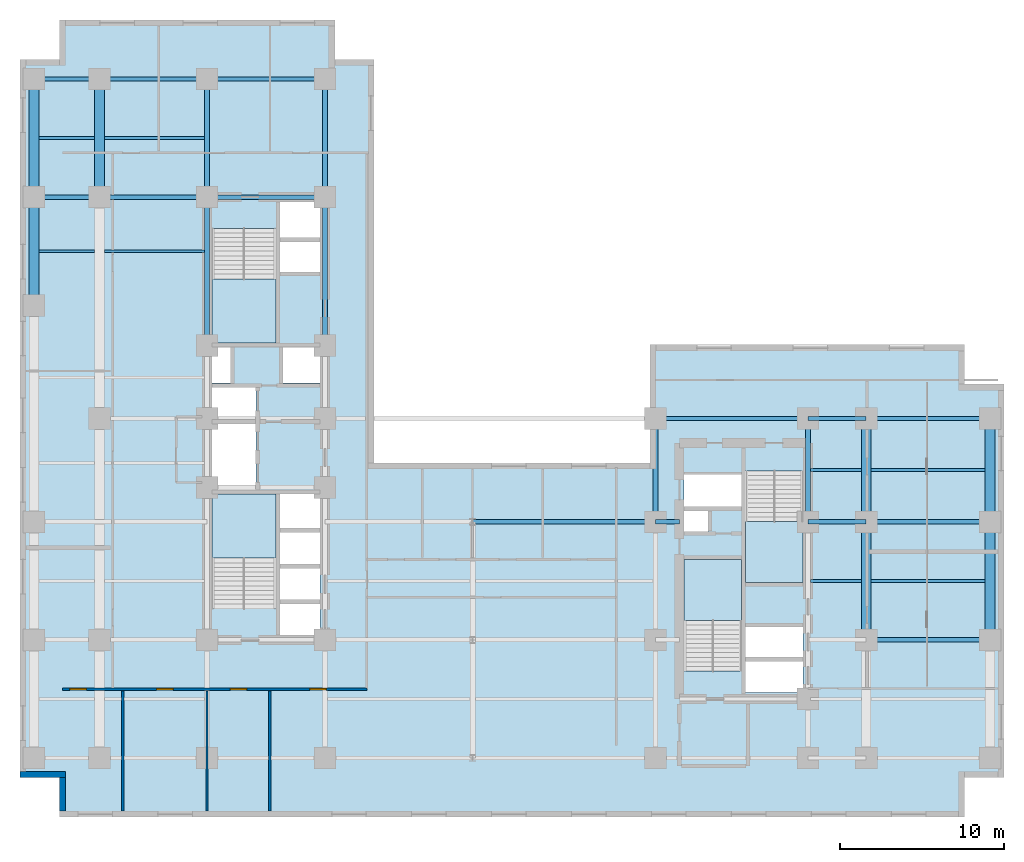
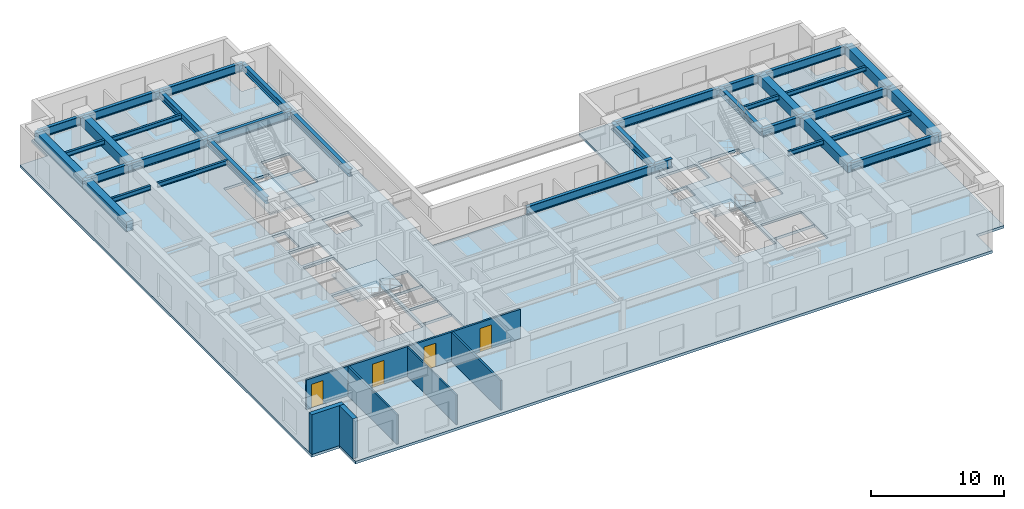
# One storey, part 2 of 9: 35 beams, 6 walls, 5 slabs, 4 doors, 4 openings, 4 elements without a shape of their own.
"""IFC4 building model written with IfcOpenShell, lengths in metres."""

from ifc_helpers import new_model, entity, si_unit, converted_unit, direction, frame, origin_with_axes, origin_2d_with_axis, place, context, subcontext, project, spatial, polyline, rectangle, i_section, outline, extrude, material, layer, layer_set, material_profile, profile_set, type_object, element, fill, aggregate, save


model = new_model("IFC4")

# Units and contexts
model_context = context("Model", 3, precision=1e-05, world=origin_with_axes(), true_north=direction((0.0, 1.0)))
body_context = subcontext(model_context, "Body", "Model", "MODEL_VIEW")
ifc_project = project(units=[si_unit("LENGTHUNIT", "METRE"), si_unit("AREAUNIT", "SQUARE_METRE"), si_unit("VOLUMEUNIT", "CUBIC_METRE"), converted_unit("PLANEANGLEUNIT", "DEGREE", entity("IfcPlaneAngleMeasure", 0.017453292519943295), si_unit("PLANEANGLEUNIT", "RADIAN"), dimensions=[0, 0, 0, 0, 0, 0, 0]), si_unit("MASSUNIT", "GRAM", prefix="KILO"), si_unit("THERMODYNAMICTEMPERATUREUNIT", "KELVIN")], contexts=[model_context])

# Site, building, storey
site_placement = place(None, origin_with_axes())
site = spatial("IfcSite", under=ifc_project, at=site_placement, CompositionType="ELEMENT")
building_placement = place(site_placement, origin_with_axes())
building = spatial("IfcBuilding", under=site, at=building_placement, Name="Varnlund Millrace Tower", CompositionType="ELEMENT")
storey_placement = place(building_placement, frame((0.0, 0.0, 71.7), z_axis=(0.0, 0.0, 1.0), x_axis=(1.0, 0.0, 0.0)))
storey = spatial("IfcBuildingStorey", under=building, at=storey_placement, Name="L17", CompositionType="ELEMENT", Elevation=71.7)

# Beams
ifc_material_1 = material(Name="Steel ASTM A992 Grade 50", Category="steel")
ifc_material_profile_1 = material_profile(ifc_material_1, i_section(OverallWidth=0.328, OverallDepth=0.628, WebThickness=0.0165, FlangeThickness=0.0277, FilletRadius=0.018, at=origin_2d_with_axis()), Name="Steel ASTM A992 Grade 50")
ifc_profile_set_1 = profile_set([ifc_material_profile_1], Name="Steel ASTM A992 Grade 50")
beam_type_1 = type_object("IfcBeamType", Name="Type-Girder-W24X146", PredefinedType="USERDEFINED", material=ifc_profile_set_1)
beam_1_placement = place(storey_placement, frame((11.4, 28.75, 3.346), z_axis=(0.0, 1.0, 0.0), x_axis=(-1.0, 0.0, 0.0)))
element("IfcBeam", 1, at=beam_1_placement, inside=storey, type_object=beam_type_1, Name="Type-Girder-W24X146", ObjectType="GIRDER", PredefinedType="USERDEFINED", context=body_context, shape_type="SweptSolid", body=[
    extrude(i_section(OverallWidth=0.328, OverallDepth=0.628, WebThickness=0.0165, FlangeThickness=0.0277, FilletRadius=0.018, at=origin_2d_with_axis()), origin_with_axes(), (0.0, 0.0, 1.0), 9.05),
])
beam_2_placement = place(storey_placement, frame((11.4, 37.8, 3.346), z_axis=(0.0, 1.0, 0.0), x_axis=(-1.0, 0.0, 0.0)))
element("IfcBeam", 2, at=beam_2_placement, inside=storey, type_object=beam_type_1, Name="Type-Girder-W24X146", ObjectType="GIRDER", PredefinedType="USERDEFINED", context=body_context, shape_type="SweptSolid", body=[
    extrude(i_section(OverallWidth=0.328, OverallDepth=0.628, WebThickness=0.0165, FlangeThickness=0.0277, FilletRadius=0.018, at=origin_2d_with_axis()), origin_with_axes(), (0.0, 0.0, 1.0), 7.2),
])
beam_3_placement = place(storey_placement, frame((18.6, 28.75, 3.346), z_axis=(0.0, 1.0, 0.0), x_axis=(-1.0, 0.0, 0.0)))
element("IfcBeam", 3, at=beam_3_placement, inside=storey, type_object=beam_type_1, Name="Type-Girder-W24X146", ObjectType="GIRDER", PredefinedType="USERDEFINED", context=body_context, shape_type="SweptSolid", body=[
    extrude(i_section(OverallWidth=0.328, OverallDepth=0.628, WebThickness=0.0165, FlangeThickness=0.0277, FilletRadius=0.018, at=origin_2d_with_axis()), origin_with_axes(), (0.0, 0.0, 1.0), 9.05),
])
beam_4_placement = place(storey_placement, frame((18.6, 37.8, 3.346), z_axis=(0.0, 1.0, 0.0), x_axis=(-1.0, 0.0, 0.0)))
element("IfcBeam", 4, at=beam_4_placement, inside=storey, type_object=beam_type_1, Name="Type-Girder-W24X146", ObjectType="GIRDER", PredefinedType="USERDEFINED", context=body_context, shape_type="SweptSolid", body=[
    extrude(i_section(OverallWidth=0.328, OverallDepth=0.628, WebThickness=0.0165, FlangeThickness=0.0277, FilletRadius=0.018, at=origin_2d_with_axis()), origin_with_axes(), (0.0, 0.0, 1.0), 7.2),
])
for number, where, z_axis, x_axis, name in (
    (5, (38.75, 18.0, 3.346), (0.0, 1.0, 0.0), (-1.0, 0.0, 0.0), "Type-Girder-W24X146"),
    (6, (48.05, 18.0, 3.346), (0.0, 1.0, 0.0), (-1.0, 0.0, 0.0), "Type-Girder-W24X146"),
):
    element("IfcBeam", number, at=place(storey_placement, frame(where, z_axis=z_axis, x_axis=x_axis)), inside=storey, type_object=beam_type_1, Name=name, ObjectType="GIRDER", PredefinedType="USERDEFINED", context=body_context, shape_type="SweptSolid", body=[
        extrude(i_section(OverallWidth=0.328, OverallDepth=0.628, WebThickness=0.0165, FlangeThickness=0.0277, FilletRadius=0.018, at=origin_2d_with_axis()), origin_with_axes(), (0.0, 0.0, 1.0), 6.3),
    ])
ifc_material_profile_2 = material_profile(ifc_material_1, i_section(OverallWidth=0.266, OverallDepth=0.779, WebThickness=0.0165, FlangeThickness=0.03, FilletRadius=0.02, at=origin_2d_with_axis()), Name="Steel ASTM A992 Grade 50")
ifc_profile_set_2 = profile_set([ifc_material_profile_2], Name="Steel ASTM A992 Grade 50")
beam_type_2 = type_object("IfcBeamType", Name="Type-Girder-W30X148", PredefinedType="USERDEFINED", material=ifc_profile_set_2)
beam_5_placement = place(storey_placement, frame((51.6, 10.8, 3.2705), z_axis=(1.0, 0.0, 0.0), x_axis=(0.0, 1.0, 0.0)))
element("IfcBeam", 7, at=beam_5_placement, inside=storey, type_object=beam_type_2, Name="Type-Girder-W30X148", ObjectType="GIRDER", PredefinedType="USERDEFINED", context=body_context, shape_type="SweptSolid", body=[
    extrude(i_section(OverallWidth=0.266, OverallDepth=0.779, WebThickness=0.0165, FlangeThickness=0.03, FilletRadius=0.02, at=origin_2d_with_axis()), origin_with_axes(), (0.0, 0.0, 1.0), 7.55),
])
beam_6_placement = place(storey_placement, frame((27.6, 18.0, 3.2705), z_axis=(1.0, 0.0, 0.0), x_axis=(0.0, 1.0, 0.0)))
element("IfcBeam", 8, at=beam_6_placement, inside=storey, type_object=beam_type_2, Name="Type-Girder-W30X148", ObjectType="GIRDER", PredefinedType="USERDEFINED", context=body_context, shape_type="SweptSolid", body=[
    extrude(i_section(OverallWidth=0.266, OverallDepth=0.779, WebThickness=0.0165, FlangeThickness=0.03, FilletRadius=0.02, at=origin_2d_with_axis()), origin_with_axes(), (0.0, 0.0, 1.0), 11.15),
])
beam_7_placement = place(storey_placement, frame((38.75, 18.0, 3.2705), z_axis=(1.0, 0.0, 0.0), x_axis=(0.0, 1.0, 0.0)))
element("IfcBeam", 9, at=beam_7_placement, inside=storey, type_object=beam_type_2, Name="Type-Girder-W30X148", ObjectType="GIRDER", PredefinedType="USERDEFINED", context=body_context, shape_type="SweptSolid", body=[
    extrude(i_section(OverallWidth=0.266, OverallDepth=0.779, WebThickness=0.0165, FlangeThickness=0.03, FilletRadius=0.02, at=origin_2d_with_axis()), origin_with_axes(), (0.0, 0.0, 1.0), 1.45),
])
beam_8_placement = place(storey_placement, frame((48.05, 18.0, 3.2705), z_axis=(1.0, 0.0, 0.0), x_axis=(0.0, 1.0, 0.0)))
element("IfcBeam", 10, at=beam_8_placement, inside=storey, type_object=beam_type_2, Name="Type-Girder-W30X148", ObjectType="GIRDER", PredefinedType="USERDEFINED", context=body_context, shape_type="SweptSolid", body=[
    extrude(i_section(OverallWidth=0.266, OverallDepth=0.779, WebThickness=0.0165, FlangeThickness=0.03, FilletRadius=0.02, at=origin_2d_with_axis()), origin_with_axes(), (0.0, 0.0, 1.0), 3.55),
])
beam_9_placement = place(storey_placement, frame((51.6, 18.0, 3.2705), z_axis=(1.0, 0.0, 0.0), x_axis=(0.0, 1.0, 0.0)))
element("IfcBeam", 11, at=beam_9_placement, inside=storey, type_object=beam_type_2, Name="Type-Girder-W30X148", ObjectType="GIRDER", PredefinedType="USERDEFINED", context=body_context, shape_type="SweptSolid", body=[
    extrude(i_section(OverallWidth=0.266, OverallDepth=0.779, WebThickness=0.0165, FlangeThickness=0.03, FilletRadius=0.02, at=origin_2d_with_axis()), origin_with_axes(), (0.0, 0.0, 1.0), 7.55),
])
beam_10_placement = place(storey_placement, frame((38.75, 24.3, 3.2705), z_axis=(1.0, 0.0, 0.0), x_axis=(0.0, 1.0, 0.0)))
element("IfcBeam", 12, at=beam_10_placement, inside=storey, type_object=beam_type_2, Name="Type-Girder-W30X148", ObjectType="GIRDER", PredefinedType="USERDEFINED", context=body_context, shape_type="SweptSolid", body=[
    extrude(i_section(OverallWidth=0.266, OverallDepth=0.779, WebThickness=0.0165, FlangeThickness=0.03, FilletRadius=0.02, at=origin_2d_with_axis()), origin_with_axes(), (0.0, 0.0, 1.0), 9.3),
])
beam_11_placement = place(storey_placement, frame((48.05, 24.3, 3.2705), z_axis=(1.0, 0.0, 0.0), x_axis=(0.0, 1.0, 0.0)))
element("IfcBeam", 13, at=beam_11_placement, inside=storey, type_object=beam_type_2, Name="Type-Girder-W30X148", ObjectType="GIRDER", PredefinedType="USERDEFINED", context=body_context, shape_type="SweptSolid", body=[
    extrude(i_section(OverallWidth=0.266, OverallDepth=0.779, WebThickness=0.0165, FlangeThickness=0.03, FilletRadius=0.02, at=origin_2d_with_axis()), origin_with_axes(), (0.0, 0.0, 1.0), 3.55),
])
beam_12_placement = place(storey_placement, frame((51.6, 24.3, 3.2705), z_axis=(1.0, 0.0, 0.0), x_axis=(0.0, 1.0, 0.0)))
element("IfcBeam", 14, at=beam_12_placement, inside=storey, type_object=beam_type_2, Name="Type-Girder-W30X148", ObjectType="GIRDER", PredefinedType="USERDEFINED", context=body_context, shape_type="SweptSolid", body=[
    extrude(i_section(OverallWidth=0.266, OverallDepth=0.779, WebThickness=0.0165, FlangeThickness=0.03, FilletRadius=0.02, at=origin_2d_with_axis()), origin_with_axes(), (0.0, 0.0, 1.0), 7.55),
])
beam_13_placement = place(storey_placement, frame((0.85, 37.8, 3.2705), z_axis=(1.0, 0.0, 0.0), x_axis=(0.0, 1.0, 0.0)))
element("IfcBeam", 15, at=beam_13_placement, inside=storey, type_object=beam_type_2, Name="Type-Girder-W30X148", ObjectType="GIRDER", PredefinedType="USERDEFINED", context=body_context, shape_type="SweptSolid", body=[
    extrude(i_section(OverallWidth=0.266, OverallDepth=0.779, WebThickness=0.0165, FlangeThickness=0.03, FilletRadius=0.02, at=origin_2d_with_axis()), origin_with_axes(), (0.0, 0.0, 1.0), 4.0),
])
beam_14_placement = place(storey_placement, frame((4.85, 37.8, 3.2705), z_axis=(1.0, 0.0, 0.0), x_axis=(0.0, 1.0, 0.0)))
element("IfcBeam", 16, at=beam_14_placement, inside=storey, type_object=beam_type_2, Name="Type-Girder-W30X148", ObjectType="GIRDER", PredefinedType="USERDEFINED", context=body_context, shape_type="SweptSolid", body=[
    extrude(i_section(OverallWidth=0.266, OverallDepth=0.779, WebThickness=0.0165, FlangeThickness=0.03, FilletRadius=0.02, at=origin_2d_with_axis()), origin_with_axes(), (0.0, 0.0, 1.0), 6.55),
])
beam_15_placement = place(storey_placement, frame((11.4, 37.8, 3.2705), z_axis=(1.0, 0.0, 0.0), x_axis=(0.0, 1.0, 0.0)))
element("IfcBeam", 17, at=beam_15_placement, inside=storey, type_object=beam_type_2, Name="Type-Girder-W30X148", ObjectType="GIRDER", PredefinedType="USERDEFINED", context=body_context, shape_type="SweptSolid", body=[
    extrude(i_section(OverallWidth=0.266, OverallDepth=0.779, WebThickness=0.0165, FlangeThickness=0.03, FilletRadius=0.02, at=origin_2d_with_axis()), origin_with_axes(), (0.0, 0.0, 1.0), 7.2),
])
beam_16_placement = place(storey_placement, frame((0.85, 45.0, 3.2705), z_axis=(1.0, 0.0, 0.0), x_axis=(0.0, 1.0, 0.0)))
element("IfcBeam", 18, at=beam_16_placement, inside=storey, type_object=beam_type_2, Name="Type-Girder-W30X148", ObjectType="GIRDER", PredefinedType="USERDEFINED", context=body_context, shape_type="SweptSolid", body=[
    extrude(i_section(OverallWidth=0.266, OverallDepth=0.779, WebThickness=0.0165, FlangeThickness=0.03, FilletRadius=0.02, at=origin_2d_with_axis()), origin_with_axes(), (0.0, 0.0, 1.0), 4.0),
])
beam_17_placement = place(storey_placement, frame((4.85, 45.0, 3.2705), z_axis=(1.0, 0.0, 0.0), x_axis=(0.0, 1.0, 0.0)))
element("IfcBeam", 19, at=beam_17_placement, inside=storey, type_object=beam_type_2, Name="Type-Girder-W30X148", ObjectType="GIRDER", PredefinedType="USERDEFINED", context=body_context, shape_type="SweptSolid", body=[
    extrude(i_section(OverallWidth=0.266, OverallDepth=0.779, WebThickness=0.0165, FlangeThickness=0.03, FilletRadius=0.02, at=origin_2d_with_axis()), origin_with_axes(), (0.0, 0.0, 1.0), 6.55),
])
beam_18_placement = place(storey_placement, frame((11.4, 45.0, 3.2705), z_axis=(1.0, 0.0, 0.0), x_axis=(0.0, 1.0, 0.0)))
element("IfcBeam", 20, at=beam_18_placement, inside=storey, type_object=beam_type_2, Name="Type-Girder-W30X148", ObjectType="GIRDER", PredefinedType="USERDEFINED", context=body_context, shape_type="SweptSolid", body=[
    extrude(i_section(OverallWidth=0.266, OverallDepth=0.779, WebThickness=0.0165, FlangeThickness=0.03, FilletRadius=0.02, at=origin_2d_with_axis()), origin_with_axes(), (0.0, 0.0, 1.0), 7.2),
])
ifc_material_profile_3 = material_profile(ifc_material_1, i_section(OverallWidth=0.181, OverallDepth=0.417, WebThickness=0.0109, FlangeThickness=0.0182, FilletRadius=0.013, at=origin_2d_with_axis()), Name="Steel ASTM A992 Grade 50")
ifc_profile_set_3 = profile_set([ifc_material_profile_3], Name="Steel ASTM A992 Grade 50")
beam_type_3 = type_object("IfcBeamType", Name="Type-Joist-W16X57", PredefinedType="JOIST", material=ifc_profile_set_3)
for number, where, z_axis, x_axis, name in (
    (21, (1.15, 34.5, 3.4515), (1.0, 0.0, 0.0), (0.0, 1.0, 0.0), "Type-Joist-W16X57"),
    (22, (1.15, 41.4, 3.4515), (1.0, 0.0, 0.0), (0.0, 1.0, 0.0), "Type-Joist-W16X57"),
):
    element("IfcBeam", number, at=place(storey_placement, frame(where, z_axis=z_axis, x_axis=x_axis)), inside=storey, type_object=beam_type_3, Name=name, PredefinedType="JOIST", context=body_context, shape_type="SweptSolid", body=[
        extrude(i_section(OverallWidth=0.181, OverallDepth=0.417, WebThickness=0.0109, FlangeThickness=0.0182, FilletRadius=0.013, at=origin_2d_with_axis()), origin_with_axes(), (0.0, 0.0, 1.0), 3.4),
    ])
for number, where, z_axis, x_axis, name in (
    (23, (5.15, 34.5, 3.4515), (1.0, 0.0, 0.0), (0.0, 1.0, 0.0), "Type-Joist-W16X57"),
    (24, (5.15, 41.4, 3.4515), (1.0, 0.0, 0.0), (0.0, 1.0, 0.0), "Type-Joist-W16X57"),
):
    element("IfcBeam", number, at=place(storey_placement, frame(where, z_axis=z_axis, x_axis=x_axis)), inside=storey, type_object=beam_type_3, Name=name, PredefinedType="JOIST", context=body_context, shape_type="SweptSolid", body=[
        extrude(i_section(OverallWidth=0.181, OverallDepth=0.417, WebThickness=0.0109, FlangeThickness=0.0182, FilletRadius=0.013, at=origin_2d_with_axis()), origin_with_axes(), (0.0, 0.0, 1.0), 6.086),
    ])
for number, where, z_axis, x_axis, name in (
    (25, (48.214, 14.4, 3.4515), (1.0, 0.0, 0.0), (0.0, 1.0, 0.0), "Type-Joist-W16X57"),
    (26, (48.214, 21.15, 3.4515), (1.0, 0.0, 0.0), (0.0, 1.0, 0.0), "Type-Joist-W16X57"),
):
    element("IfcBeam", number, at=place(storey_placement, frame(where, z_axis=z_axis, x_axis=x_axis)), inside=storey, type_object=beam_type_3, Name=name, PredefinedType="JOIST", context=body_context, shape_type="SweptSolid", body=[
        extrude(i_section(OverallWidth=0.181, OverallDepth=0.417, WebThickness=0.0109, FlangeThickness=0.0182, FilletRadius=0.013, at=origin_2d_with_axis()), origin_with_axes(), (0.0, 0.0, 1.0), 3.086),
    ])
for number, where, z_axis, x_axis, name in (
    (27, (51.9, 14.4, 3.4515), (1.0, 0.0, 0.0), (0.0, 1.0, 0.0), "Type-Joist-W16X57"),
    (28, (51.9, 21.15, 3.4515), (1.0, 0.0, 0.0), (0.0, 1.0, 0.0), "Type-Joist-W16X57"),
):
    element("IfcBeam", number, at=place(storey_placement, frame(where, z_axis=z_axis, x_axis=x_axis)), inside=storey, type_object=beam_type_3, Name=name, PredefinedType="JOIST", context=body_context, shape_type="SweptSolid", body=[
        extrude(i_section(OverallWidth=0.181, OverallDepth=0.417, WebThickness=0.0109, FlangeThickness=0.0182, FilletRadius=0.013, at=origin_2d_with_axis()), origin_with_axes(), (0.0, 0.0, 1.0), 6.95),
    ])
ifc_material_2 = material(Name="Concrete C70/85", Category="concrete")
ifc_material_profile_4 = material_profile(ifc_material_2, rectangle(XDim=0.6, YDim=0.9, at=origin_2d_with_axis()), Name="Concrete C70/85")
ifc_profile_set_4 = profile_set([ifc_material_profile_4], Name="Concrete C70/85")
beam_type_4 = type_object("IfcBeamType", Name="Type-Spandrel-RC600X900", PredefinedType="SPANDREL", material=ifc_profile_set_4)
beam_19_placement = place(storey_placement, frame((0.85, 31.2, 3.21), z_axis=(0.0, 1.0, 0.0), x_axis=(-1.0, 0.0, 0.0)))
element("IfcBeam", 29, at=beam_19_placement, inside=storey, type_object=beam_type_4, Name="Type-Spandrel-RC600X900", PredefinedType="SPANDREL", context=body_context, shape_type="SweptSolid", body=[
    extrude(rectangle(XDim=0.6, YDim=0.9, at=origin_2d_with_axis()), origin_with_axes(), (0.0, 0.0, 1.0), 6.6),
])
for number, where, z_axis, x_axis, name in (
    (30, (0.85, 37.8, 3.21), (0.0, 1.0, 0.0), (-1.0, 0.0, 0.0), "Type-Spandrel-RC600X900"),
    (31, (4.85, 37.8, 3.21), (0.0, 1.0, 0.0), (-1.0, 0.0, 0.0), "Type-Spandrel-RC600X900"),
    (32, (51.6, 10.8, 3.21), (0.0, 1.0, 0.0), (-1.0, 0.0, 0.0), "Type-Spandrel-RC600X900"),
):
    element("IfcBeam", number, at=place(storey_placement, frame(where, z_axis=z_axis, x_axis=x_axis)), inside=storey, type_object=beam_type_4, Name=name, PredefinedType="SPANDREL", context=body_context, shape_type="SweptSolid", body=[
        extrude(rectangle(XDim=0.6, YDim=0.9, at=origin_2d_with_axis()), origin_with_axes(), (0.0, 0.0, 1.0), 7.2),
    ])
beam_20_placement = place(storey_placement, frame((51.6, 18.0, 3.21), z_axis=(0.0, 1.0, 0.0), x_axis=(-1.0, 0.0, 0.0)))
element("IfcBeam", 33, at=beam_20_placement, inside=storey, type_object=beam_type_4, Name="Type-Spandrel-RC600X900", PredefinedType="SPANDREL", context=body_context, shape_type="SweptSolid", body=[
    extrude(rectangle(XDim=0.6, YDim=0.9, at=origin_2d_with_axis()), origin_with_axes(), (0.0, 0.0, 1.0), 6.3),
])
beam_21_placement = place(storey_placement, frame((59.15, 10.8, 3.21), z_axis=(0.0, 1.0, 0.0), x_axis=(-1.0, 0.0, 0.0)))
element("IfcBeam", 34, at=beam_21_placement, inside=storey, type_object=beam_type_4, Name="Type-Spandrel-RC600X900", PredefinedType="SPANDREL", context=body_context, shape_type="SweptSolid", body=[
    extrude(rectangle(XDim=0.6, YDim=0.9, at=origin_2d_with_axis()), origin_with_axes(), (0.0, 0.0, 1.0), 7.2),
])
beam_22_placement = place(storey_placement, frame((59.15, 18.0, 3.21), z_axis=(0.0, 1.0, 0.0), x_axis=(-1.0, 0.0, 0.0)))
element("IfcBeam", 35, at=beam_22_placement, inside=storey, type_object=beam_type_4, Name="Type-Spandrel-RC600X900", PredefinedType="SPANDREL", context=body_context, shape_type="SweptSolid", body=[
    extrude(rectangle(XDim=0.6, YDim=0.9, at=origin_2d_with_axis()), origin_with_axes(), (0.0, 0.0, 1.0), 6.3),
])

# Slab
ifc_material_3 = material(Name="Concrete C60/75", Category="concrete")
ifc_layer_1 = layer(ifc_material_3, 0.24, Name="Concrete C60/75")
ifc_layer_set_1 = layer_set([ifc_layer_1], Name="Concrete C60/75")
slab_type_1 = type_object("IfcSlabType", Name="Type-Deck-Plate-Typical-240", PredefinedType="FLOOR", material=ifc_layer_set_1)
slab_1_placement = place(storey_placement, frame((0.0, 0.0, -0.24), z_axis=(0.0, 0.0, 1.0), x_axis=(1.0, 0.0, 0.0)))
element("IfcSlab", 36, at=slab_1_placement, inside=storey, type_object=slab_type_1, Name="Type-Deck-Plate-Typical-240", PredefinedType="FLOOR", context=body_context, shape_type="SweptSolid", body=[
    extrude(outline(polyline([(21.6, 21.6), (21.6, 46.2), (19.2, 46.2), (19.2, 48.6), (2.4, 48.6), (2.4, 46.2), (0.0, 46.2), (0.0, 2.4), (2.4, 2.4), (2.4, 0.0), (57.6, 0.0), (57.6, 2.4), (60.0, 2.4), (60.0, 26.4), (57.6, 26.4), (57.6, 28.8), (38.4, 28.8), (38.4, 21.6), (21.6, 21.6)]), holes=[polyline([(18.3, 11.1), (15.84, 11.1), (15.84, 13.1), (18.3, 13.1), (18.3, 11.1)]), polyline([(18.3, 13.16), (15.84, 13.16), (15.84, 15.24), (18.3, 15.24), (18.3, 13.16)]), polyline([(15.6, 12.715), (11.7, 12.715), (11.7, 19.7), (15.6, 19.7), (15.6, 12.715)]), polyline([(18.3, 15.34), (15.84, 15.34), (15.84, 17.46), (18.3, 17.46), (18.3, 15.34)]), polyline([(18.3, 17.52), (15.84, 17.52), (15.84, 19.7), (18.3, 19.7), (18.3, 17.52)]), polyline([(14.38, 23.98), (14.38, 19.94), (11.7, 19.94), (11.7, 23.98), (14.38, 23.98)]), polyline([(11.7, 24.24), (11.7, 26.2), (14.38, 26.2), (14.38, 24.24), (11.7, 24.24)]), polyline([(11.7, 26.46), (11.7, 28.65), (12.84, 28.65), (12.84, 26.46), (11.7, 26.46)]), polyline([(15.6, 28.9), (11.7, 28.9), (11.7, 35.885), (15.6, 35.885), (15.6, 28.9)]), polyline([(47.75, 7.6), (44.25, 7.6), (44.25, 9.6), (47.75, 9.6), (47.75, 7.6)]), polyline([(47.75, 9.66), (44.25, 9.66), (44.25, 11.68), (47.75, 11.68), (47.75, 9.66)]), polyline([(40.5, 8.915), (40.5, 15.7), (44.0, 15.7), (44.0, 8.915), (40.5, 8.915)]), polyline([(44.25, 14.3), (44.25, 21.085), (47.75, 21.085), (47.75, 14.3), (44.25, 14.3)]), polyline([(41.95, 17.42), (40.5, 17.42), (40.5, 18.72), (41.95, 18.72), (41.95, 17.42)]), polyline([(44.0, 18.88), (40.5, 18.88), (40.5, 20.94), (44.0, 20.94), (44.0, 18.88)]), polyline([(18.3, 26.46), (16.04, 26.46), (16.04, 28.65), (18.3, 28.65), (18.3, 26.46)]), polyline([(15.84, 33.12), (15.84, 35.18), (18.3, 35.18), (18.3, 33.12), (15.84, 33.12)]), polyline([(15.84, 35.22), (15.84, 37.5), (18.3, 37.5), (18.3, 35.22), (15.84, 35.22)])]), origin_with_axes(), (0.0, 0.0, 1.0), 0.24),
])

# Stair, slab
ifc_material_4 = material(Name="Concrete C50/60", Category="concrete")
stair_type_1 = type_object("IfcStairType", Name="Type-Stair-Dogleg-185-390", PredefinedType="HALF_TURN_STAIR", material=ifc_material_4)
stair_1_placement = place(storey_placement, origin_with_axes())
stair_1 = element("IfcStair", 37, at=stair_1_placement, inside=storey, type_object=stair_type_1, Name="Type-Stair-Dogleg-185-390", PredefinedType="HALF_TURN_STAIR")
ifc_layer_2 = layer(ifc_material_4, 0.2, Name="Concrete C50/60")
ifc_layer_set_2 = layer_set([ifc_layer_2], Name="Concrete C50/60")
slab_type_2 = type_object("IfcSlabType", Name="Type-StairLanding-200", PredefinedType="LANDING", material=ifc_layer_set_2)
slab_2_placement = place(storey_placement, frame((0.0, 0.0, 1.75), z_axis=(0.0, 0.0, 1.0), x_axis=(1.0, 0.0, 0.0)))
slab_2 = element("IfcSlab", 38, at=slab_2_placement, type_object=slab_type_2, Name="ST-A1 landing 1", PredefinedType="LANDING", context=body_context, shape_type="SweptSolid", body=[
    extrude(outline(polyline([(15.6, 15.78), (15.6, 19.7), (11.7, 19.7), (11.7, 15.78), (15.6, 15.78)])), origin_with_axes(), (0.0, 0.0, 1.0), 0.2),
])
aggregate(stair_1, [slab_2])

stair_2_placement = place(storey_placement, origin_with_axes())
stair_2 = element("IfcStair", 39, at=stair_2_placement, inside=storey, type_object=stair_type_1, Name="Type-Stair-Dogleg-185-390", PredefinedType="HALF_TURN_STAIR")
slab_3_placement = place(storey_placement, frame((0.0, 0.0, 1.75), z_axis=(0.0, 0.0, 1.0), x_axis=(1.0, 0.0, 0.0)))
slab_3 = element("IfcSlab", 40, at=slab_3_placement, type_object=slab_type_2, Name="ST-A2 landing 1", PredefinedType="LANDING", context=body_context, shape_type="SweptSolid", body=[
    extrude(outline(polyline([(11.7, 32.82), (11.7, 28.9), (15.6, 28.9), (15.6, 32.82), (11.7, 32.82)])), origin_with_axes(), (0.0, 0.0, 1.0), 0.2),
])
aggregate(stair_2, [slab_3])

stair_type_2 = type_object("IfcStairType", Name="Type-Stair-Dogleg-165-390", PredefinedType="HALF_TURN_STAIR", material=ifc_material_4)
stair_3_placement = place(storey_placement, origin_with_axes())
stair_3 = element("IfcStair", 41, at=stair_3_placement, inside=storey, type_object=stair_type_2, Name="Type-Stair-Dogleg-165-390", PredefinedType="HALF_TURN_STAIR")
slab_4_placement = place(storey_placement, frame((0.0, 0.0, 1.75), z_axis=(0.0, 0.0, 1.0), x_axis=(1.0, 0.0, 0.0)))
slab_4 = element("IfcSlab", 42, at=slab_4_placement, type_object=slab_type_2, Name="ST-B1 landing 1", PredefinedType="LANDING", context=body_context, shape_type="SweptSolid", body=[
    extrude(outline(polyline([(44.0, 11.98), (44.0, 15.7), (40.5, 15.7), (40.5, 11.98), (44.0, 11.98)])), origin_with_axes(), (0.0, 0.0, 1.0), 0.2),
])
aggregate(stair_3, [slab_4])

stair_4_placement = place(storey_placement, origin_with_axes())
stair_4 = element("IfcStair", 43, at=stair_4_placement, inside=storey, type_object=stair_type_2, Name="Type-Stair-Dogleg-165-390", PredefinedType="HALF_TURN_STAIR")
slab_5_placement = place(storey_placement, frame((0.0, 0.0, 1.75), z_axis=(0.0, 0.0, 1.0), x_axis=(1.0, 0.0, 0.0)))
slab_5 = element("IfcSlab", 44, at=slab_5_placement, type_object=slab_type_2, Name="ST-B2 landing 1", PredefinedType="LANDING", context=body_context, shape_type="SweptSolid", body=[
    extrude(outline(polyline([(44.25, 18.02), (44.25, 14.3), (47.75, 14.3), (47.75, 18.02), (44.25, 18.02)])), origin_with_axes(), (0.0, 0.0, 1.0), 0.2),
])
aggregate(stair_4, [slab_5])

# Walls
ifc_material_5 = material(Name="Precast concrete C50/60", Category="concrete")
ifc_layer_3 = layer(ifc_material_5, 0.38, Name="Precast concrete C50/60")
ifc_layer_set_3 = layer_set([ifc_layer_3], Name="Precast concrete C50/60")
wall_type_1 = type_object("IfcWallType", Name="Type-ExtWall-Precast-Tube-380", PredefinedType="SOLIDWALL", material=ifc_layer_set_3)
wall_1_placement = place(storey_placement, frame((2.59, 0.38, 0.0), z_axis=(0.0, 0.0, 1.0), x_axis=(0.0, 1.0, 0.0)))
element("IfcWall", 45, at=wall_1_placement, inside=storey, type_object=wall_type_1, Name="Type-ExtWall-Precast-Tube-380", PredefinedType="SOLIDWALL", context=body_context, shape_type="SweptSolid", body=[
    extrude(outline(polyline([(0.0, -0.19), (2.02, -0.19), (2.02, 0.19), (0.0, 0.19), (0.0, -0.19)])), origin_with_axes(), (0.0, 0.0, 1.0), 3.66),
])
wall_2_placement = place(storey_placement, frame((2.78, 2.59, 0.0), z_axis=(0.0, 0.0, 1.0), x_axis=(-1.0, 0.0, 0.0)))
element("IfcWall", 46, at=wall_2_placement, inside=storey, type_object=wall_type_1, Name="Type-ExtWall-Precast-Tube-380", PredefinedType="SOLIDWALL", context=body_context, shape_type="SweptSolid", body=[
    extrude(outline(polyline([(0.0, -0.19), (2.78, -0.19), (2.78, 0.19), (0.0, 0.19), (0.0, -0.19)])), origin_with_axes(), (0.0, 0.0, 1.0), 3.66),
])

# Wall, openings, doors
ifc_material_6 = material(Name="Fire-rated gypsum board on cold-formed steel framing", Category="steel")
ifc_layer_4 = layer(ifc_material_6, 0.16, Name="Fire-rated gypsum board on cold-formed steel framing")
ifc_layer_set_4 = layer_set([ifc_layer_4], Name="Fire-rated gypsum board on cold-formed steel framing")
wall_type_2 = type_object("IfcWallType", Name="Type-Partition-Corridor-160", PredefinedType="PARTITIONING", material=ifc_layer_set_4)
wall_3_placement = place(storey_placement, frame((2.6, 7.8, 0.0), z_axis=(0.0, 0.0, 1.0), x_axis=(1.0, 0.0, 0.0)))
wall_3 = element("IfcWall", 47, at=wall_3_placement, inside=storey, type_object=wall_type_2, Name="Type-Partition-Corridor-160", PredefinedType="PARTITIONING", context=body_context, shape_type="SweptSolid", body=[
    extrude(outline(polyline([(0.0, -0.08), (18.55, -0.08), (18.55, 0.08), (0.0, 0.08), (0.0, -0.08)])), origin_with_axes(), (0.0, 0.0, 1.0), 2.7),
])
opening_1_placement = place(wall_3_placement, frame((0.947, 0.0, 0.0), z_axis=(0.0, 0.0, 1.0), x_axis=(1.0, 0.0, 0.0)))
opening_1 = element("IfcOpeningElement", 48, at=opening_1_placement, cuts=wall_3, Name="Opening L17:DR-WAS-01", PredefinedType="OPENING", context=body_context, shape_type="SweptSolid", body=[
    extrude(rectangle(XDim=1.0, YDim=0.18, at=origin_2d_with_axis()), origin_with_axes(), (0.0, 0.0, 1.0), 2.15),
])
opening_2_placement = place(wall_3_placement, frame((6.2325, 0.0, 0.0), z_axis=(0.0, 0.0, 1.0), x_axis=(1.0, 0.0, 0.0)))
opening_2 = element("IfcOpeningElement", 49, at=opening_2_placement, cuts=wall_3, Name="Opening L17:DR-WAS-02", PredefinedType="OPENING", context=body_context, shape_type="SweptSolid", body=[
    extrude(rectangle(XDim=1.0, YDim=0.18, at=origin_2d_with_axis()), origin_with_axes(), (0.0, 0.0, 1.0), 2.15),
])
opening_3_placement = place(wall_3_placement, frame((10.721, 0.0, 0.0), z_axis=(0.0, 0.0, 1.0), x_axis=(1.0, 0.0, 0.0)))
opening_3 = element("IfcOpeningElement", 50, at=opening_3_placement, cuts=wall_3, Name="Opening L17:DR-WAS-03", PredefinedType="OPENING", context=body_context, shape_type="SweptSolid", body=[
    extrude(rectangle(XDim=1.0, YDim=0.18, at=origin_2d_with_axis()), origin_with_axes(), (0.0, 0.0, 1.0), 2.15),
])
opening_4_placement = place(wall_3_placement, frame((15.571, 0.0, 0.0), z_axis=(0.0, 0.0, 1.0), x_axis=(1.0, 0.0, 0.0)))
opening_4 = element("IfcOpeningElement", 51, at=opening_4_placement, cuts=wall_3, Name="Opening L17:DR-WAS-04", PredefinedType="OPENING", context=body_context, shape_type="SweptSolid", body=[
    extrude(rectangle(XDim=1.0, YDim=0.18, at=origin_2d_with_axis()), origin_with_axes(), (0.0, 0.0, 1.0), 2.15),
])
ifc_material_7 = material(Name="Solid-core white oak and bronze frame door")
door_type = type_object("IfcDoorType", Name="Type-IntDoor-Office-1000X2150", OperationType="NOTDEFINED", PredefinedType="DOOR", material=ifc_material_7)
door_1_placement = place(wall_3_placement, frame((0.947, 0.0, 0.0), z_axis=(0.0, 0.0, 1.0), x_axis=(1.0, 0.0, 0.0)))
door_1 = element("IfcDoor", 52, at=door_1_placement, inside=storey, type_object=door_type, Name="Type-IntDoor-Office-1000X2150", OperationType="SINGLE_SWING_LEFT", OverallHeight=2.15, OverallWidth=1.0, PredefinedType="DOOR", context=body_context, shape_type="SweptSolid", body=[
    extrude(rectangle(XDim=1.0, YDim=0.09, at=origin_2d_with_axis()), origin_with_axes(), (0.0, 0.0, 1.0), 2.15),
])
fill(opening_1, door_1)
door_2_placement = place(wall_3_placement, frame((6.2325, 0.0, 0.0), z_axis=(0.0, 0.0, 1.0), x_axis=(1.0, 0.0, 0.0)))
door_2 = element("IfcDoor", 53, at=door_2_placement, inside=storey, type_object=door_type, Name="Type-IntDoor-Office-1000X2150", OperationType="SINGLE_SWING_RIGHT", OverallHeight=2.15, OverallWidth=1.0, PredefinedType="DOOR", context=body_context, shape_type="SweptSolid", body=[
    extrude(rectangle(XDim=1.0, YDim=0.09, at=origin_2d_with_axis()), origin_with_axes(), (0.0, 0.0, 1.0), 2.15),
])
fill(opening_2, door_2)
door_3_placement = place(wall_3_placement, frame((10.721, 0.0, 0.0), z_axis=(0.0, 0.0, 1.0), x_axis=(1.0, 0.0, 0.0)))
door_3 = element("IfcDoor", 54, at=door_3_placement, inside=storey, type_object=door_type, Name="Type-IntDoor-Office-1000X2150", OperationType="SINGLE_SWING_LEFT", OverallHeight=2.15, OverallWidth=1.0, PredefinedType="DOOR", context=body_context, shape_type="SweptSolid", body=[
    extrude(rectangle(XDim=1.0, YDim=0.09, at=origin_2d_with_axis()), origin_with_axes(), (0.0, 0.0, 1.0), 2.15),
])
fill(opening_3, door_3)
door_4_placement = place(wall_3_placement, frame((15.571, 0.0, 0.0), z_axis=(0.0, 0.0, 1.0), x_axis=(1.0, 0.0, 0.0)))
door_4 = element("IfcDoor", 55, at=door_4_placement, inside=storey, type_object=door_type, Name="Type-IntDoor-Office-1000X2150", OperationType="SINGLE_SWING_RIGHT", OverallHeight=2.15, OverallWidth=1.0, PredefinedType="DOOR", context=body_context, shape_type="SweptSolid", body=[
    extrude(rectangle(XDim=1.0, YDim=0.09, at=origin_2d_with_axis()), origin_with_axes(), (0.0, 0.0, 1.0), 2.15),
])
fill(opening_4, door_4)

# Walls
ifc_material_8 = material(Name="Acoustic STC-50 gypsum board partition", Category="gypsum")
ifc_layer_5 = layer(ifc_material_8, 0.15, Name="Acoustic STC-50 gypsum board partition")
ifc_layer_set_5 = layer_set([ifc_layer_5], Name="Acoustic STC-50 gypsum board partition")
wall_type_3 = type_object("IfcWallType", Name="Type-Partition-Demising-150", PredefinedType="PARTITIONING", material=ifc_layer_set_5)
for number, where, z_axis, x_axis, name in (
    (56, (6.265, 0.36, 0.0), (0.0, 0.0, 1.0), (0.0, 1.0, 0.0), "Type-Partition-Demising-150"),
    (57, (15.242, 0.36, 0.0), (0.0, 0.0, 1.0), (0.0, 1.0, 0.0), "Type-Partition-Demising-150"),
):
    element("IfcWall", number, at=place(storey_placement, frame(where, z_axis=z_axis, x_axis=x_axis)), inside=storey, type_object=wall_type_3, Name=name, PredefinedType="PARTITIONING", context=body_context, shape_type="SweptSolid", body=[
        extrude(outline(polyline([(0.0, -0.075), (7.34, -0.075), (7.34, 0.075), (0.0, 0.075), (0.0, -0.075)])), origin_with_axes(), (0.0, 0.0, 1.0), 2.7),
    ])
ifc_material_9 = material(Name="Gypsum board tenant partition", Category="gypsum")
ifc_layer_6 = layer(ifc_material_9, 0.125, Name="Gypsum board tenant partition")
ifc_layer_set_6 = layer_set([ifc_layer_6], Name="Gypsum board tenant partition")
wall_type_4 = type_object("IfcWallType", Name="Type-Partition-Tenant-125", PredefinedType="PARTITIONING", material=ifc_layer_set_6)
wall_4_placement = place(storey_placement, frame((11.4, 0.36, 0.0), z_axis=(0.0, 0.0, 1.0), x_axis=(0.0, 1.0, 0.0)))
element("IfcWall", 58, at=wall_4_placement, inside=storey, type_object=wall_type_4, Name="Type-Partition-Tenant-125", PredefinedType="PARTITIONING", context=body_context, shape_type="SweptSolid", body=[
    extrude(outline(polyline([(0.0, -0.0625), (7.34, -0.0625), (7.34, 0.0625), (0.0, 0.0625), (0.0, -0.0625)])), origin_with_axes(), (0.0, 0.0, 1.0), 2.7),
])

save(model, "model.ifc")
